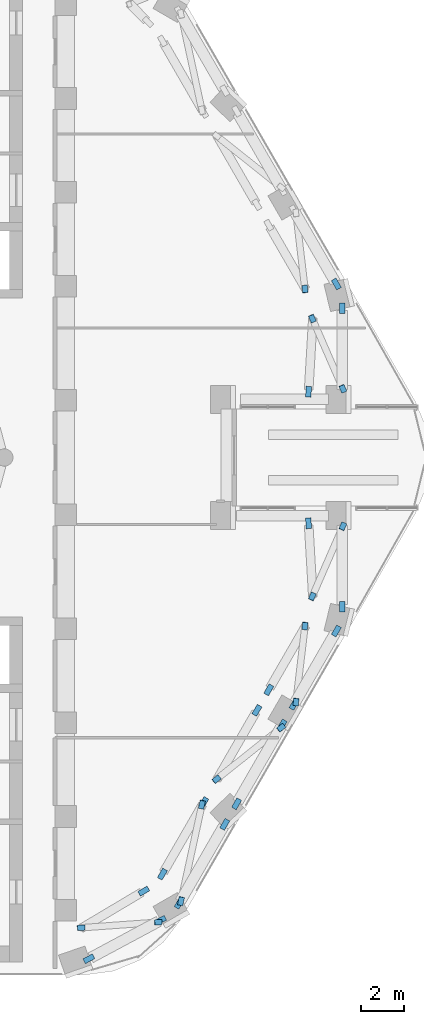
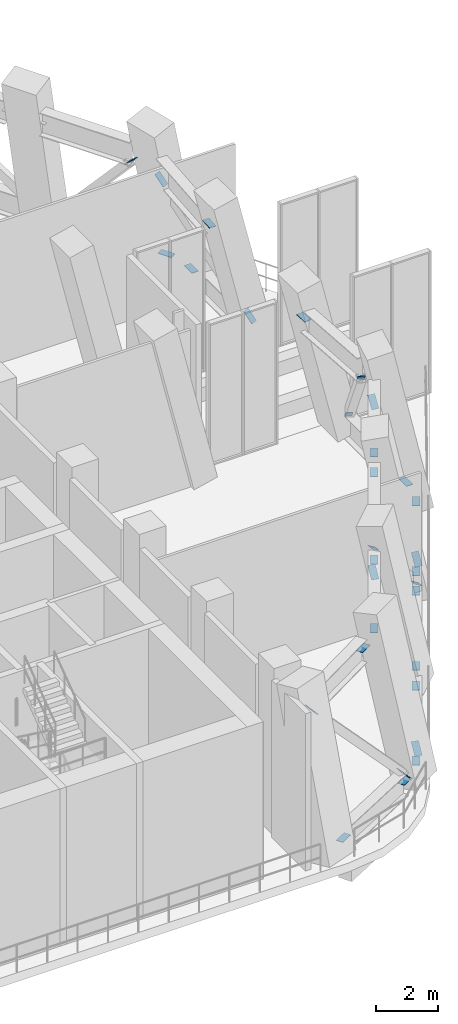
# One storey, part 13 of 19: 31 discrete accessories.
"""IFC4 building model written with IfcOpenShell, lengths in metres."""

from ifc_helpers import new_model, si_unit, direction, frame, origin, origin_2d, place, context, subcontext, project, spatial, rectangle, extrude, material, material_profile, profile_set, type_object, element, save


model = new_model("IFC4")

# Units and contexts
model_context = context("Model", 3, precision=1e-05, world=origin(), true_north=direction((0.0, 1.0)))
body_context = subcontext(model_context, "Body", "Model", "MODEL_VIEW")
ifc_project = project(units=[si_unit("LENGTHUNIT", "METRE"), si_unit("AREAUNIT", "SQUARE_METRE"), si_unit("VOLUMEUNIT", "CUBIC_METRE"), si_unit("PLANEANGLEUNIT", "RADIAN"), si_unit("MASSUNIT", "GRAM", prefix="KILO")], contexts=[model_context])

# Site, building, storey
site_placement = place(None, origin())
site = spatial("IfcSite", under=ifc_project, at=site_placement, CompositionType="ELEMENT")
building_placement = place(site_placement, origin())
building = spatial("IfcBuilding", under=site, at=building_placement, Name="Nakaniwa Court", CompositionType="ELEMENT")
storey_placement = place(building_placement, frame((0.0, 0.0, 170.10009765625)))
storey = spatial("IfcBuildingStorey", under=building, at=storey_placement, Name="S3", CompositionType="ELEMENT", Elevation=170.10009765625)

# Discrete accessories
ifc_material = material(Name="Steel Grade 350", Category="steel")
ifc_material_profile = material_profile(ifc_material, rectangle(XDim=0.25, YDim=0.02001953125, at=origin_2d()), Name="Truss end gusset plate 250x20")
ifc_profile_set = profile_set([ifc_material_profile], Name="Steel Grade 350")
discrete_accessory_type = type_object("IfcDiscreteAccessoryType", Name="Truss end gusset plate 250x20", PredefinedType="BRACKET", material=ifc_profile_set)
discrete_accessory_1_placement = place(storey_placement, frame((91.289306640625, 56.869384765625, 0.4580078125), z_axis=(-0.881472710006, -0.472234964308, 0.0), x_axis=(0.472234964308, -0.881472710006, 0.0)))
element("IfcDiscreteAccessory", 1, at=discrete_accessory_1_placement, inside=storey, type_object=discrete_accessory_type, Name="Gusset plate GU-395", PredefinedType="BRACKET", context=body_context, shape_type="SweptSolid", body=[
    extrude(rectangle(XDim=0.25, YDim=0.02001953125, at=origin_2d()), origin(), (0.0, 0.0, 1.0), 0.5),
])
discrete_accessory_2_placement = place(storey_placement, frame((94.176513671875, 58.418212890625, 0.4580078125), z_axis=(0.881363734617, 0.472438321161, 0.0), x_axis=(-0.472438321161, 0.881363734617, 0.0)))
element("IfcDiscreteAccessory", 2, at=discrete_accessory_2_placement, inside=storey, type_object=discrete_accessory_type, Name="Gusset plate GU-396", PredefinedType="BRACKET", context=body_context, shape_type="SweptSolid", body=[
    extrude(rectangle(XDim=0.25, YDim=0.02001953125, at=origin_2d()), origin(), (0.0, 0.0, 1.0), 0.499755859375),
])
for number, where, z_axis, x_axis, name in (
    (3, (93.400390625, 59.76220703125, 5.1318359375), (0.859083267379, 0.51183585231, 0.0), (-0.51183585231, 0.859083267379, 0.0), "Gusset plate GU-397"),
    (4, (90.87890625, 58.203125, 4.5634765625), (-0.674846119454, -0.048342811741, 0.736373334397), (0.071452213016, -0.997444024121, 0.0), "Gusset plate GU-398"),
    (5, (94.119384765625, 58.4345703125, 1.0263671875), (0.674846119454, 0.048342811741, -0.736373334397), (-0.071452213016, 0.997444024121, 0.0), "Gusset plate GU-399"),
):
    element("IfcDiscreteAccessory", number, at=place(storey_placement, frame(where, z_axis=z_axis, x_axis=x_axis)), inside=storey, type_object=discrete_accessory_type, Name=name, PredefinedType="BRACKET", context=body_context, shape_type="SweptSolid", body=[
        extrude(rectangle(XDim=0.25, YDim=0.02001953125, at=origin_2d()), origin(), (0.0, 0.0, 1.0), 0.5),
    ])
discrete_accessory_3_placement = place(storey_placement, frame((95.382568359375, 59.543212890625, 0.4580078125), z_axis=(-0.500131122175, -0.865949687125, 0.0), x_axis=(0.865949687125, -0.500131122175, 0.0)))
element("IfcDiscreteAccessory", 6, at=discrete_accessory_3_placement, inside=storey, type_object=discrete_accessory_type, Name="Gusset plate GU-400", PredefinedType="BRACKET", context=body_context, shape_type="SweptSolid", body=[
    extrude(rectangle(XDim=0.25, YDim=0.02001953125, at=origin_2d()), origin(), (0.0, 0.0, 1.0), 0.499755859375),
])
for number, where, z_axis, x_axis, name in (
    (7, (97.24560546875, 62.77001953125, 0.4580078125), (0.499919672301, 0.866071776036, 0.0), (-0.866071776036, 0.499919672301, 0.0), "Gusset plate GU-401"),
    (8, (94.60302734375, 60.893310546875, 5.1318359375), (-0.499919672301, -0.866071776036, 0.0), (0.866071776036, -0.499919672301, 0.0), "Gusset plate GU-402"),
):
    element("IfcDiscreteAccessory", number, at=place(storey_placement, frame(where, z_axis=z_axis, x_axis=x_axis)), inside=storey, type_object=discrete_accessory_type, Name=name, PredefinedType="BRACKET", context=body_context, shape_type="SweptSolid", body=[
        extrude(rectangle(XDim=0.25, YDim=0.02001953125, at=origin_2d()), origin(), (0.0, 0.0, 1.0), 0.5),
    ])
discrete_accessory_4_placement = place(storey_placement, frame((96.271240234375, 63.78271484375, 5.1318359375), z_axis=(0.500131122175, 0.865949687125, 0.0), x_axis=(-0.865949687125, 0.500131122175, 0.0)))
element("IfcDiscreteAccessory", 9, at=discrete_accessory_4_placement, inside=storey, type_object=discrete_accessory_type, Name="Gusset plate GU-403", PredefinedType="BRACKET", context=body_context, shape_type="SweptSolid", body=[
    extrude(rectangle(XDim=0.25, YDim=0.02001953125, at=origin_2d()), origin(), (0.0, 0.0, 1.0), 0.499755859375),
])
for number, where, z_axis, x_axis, name in (
    (10, (95.381591796875, 59.61181640625, 1.012939453125), (-0.16162961032, -0.745156451205, -0.647006748261), (0.977274518132, -0.21197763139, 0.0), "Gusset plate GU-404"),
    (11, (96.27197265625, 63.714111328125, 4.576904296875), (0.16162961032, 0.745156451205, 0.647006748261), (-0.977274518132, 0.21197763139, 0.0), "Gusset plate GU-405"),
    (12, (98.04541015625, 64.15576171875, 0.4580078125), (-0.499919672301, -0.866071776036, 0.0), (0.866071776036, -0.499919672301, 0.0), "Gusset plate GU-406"),
):
    element("IfcDiscreteAccessory", number, at=place(storey_placement, frame(where, z_axis=z_axis, x_axis=x_axis)), inside=storey, type_object=discrete_accessory_type, Name=name, PredefinedType="BRACKET", context=body_context, shape_type="SweptSolid", body=[
        extrude(rectangle(XDim=0.25, YDim=0.02001953125, at=origin_2d()), origin(), (0.0, 0.0, 1.0), 0.5),
    ])
for number, where, z_axis, x_axis, name in (
    (13, (99.908447265625, 67.382568359375, 0.4580078125), (0.500131122175, 0.865949687125, 0.0), (-0.865949687125, 0.500131122175, 0.0), "Gusset plate GU-407"),
    (14, (98.7392578125, 68.0576171875, 5.1318359375), (0.500131122175, 0.865949687125, 0.0), (-0.865949687125, 0.500131122175, 0.0), "Gusset plate GU-408"),
):
    element("IfcDiscreteAccessory", number, at=place(storey_placement, frame(where, z_axis=z_axis, x_axis=x_axis)), inside=storey, type_object=discrete_accessory_type, Name=name, PredefinedType="BRACKET", context=body_context, shape_type="SweptSolid", body=[
        extrude(rectangle(XDim=0.25, YDim=0.02001953125, at=origin_2d()), origin(), (0.0, 0.0, 1.0), 0.499755859375),
    ])
for number, where, z_axis, x_axis, name in (
    (15, (97.12841796875, 65.1904296875, 4.56689453125), (-0.547843333752, -0.43700515482, 0.713368191276), (0.623589821408, -0.781751709072, 0.0), "Gusset plate GU-409"),
    (16, (99.851318359375, 67.3603515625, 1.02294921875), (0.547960203667, 0.436610001852, -0.713520372155), (-0.623163735952, 0.782091400154, 0.0), "Gusset plate GU-410"),
):
    element("IfcDiscreteAccessory", number, at=place(storey_placement, frame(where, z_axis=z_axis, x_axis=x_axis)), inside=storey, type_object=discrete_accessory_type, Name=name, PredefinedType="BRACKET", context=body_context, shape_type="SweptSolid", body=[
        extrude(rectangle(XDim=0.25, YDim=0.02001953125, at=origin_2d()), origin(), (0.0, 0.0, 1.0), 0.5),
    ])
for number, where, z_axis, x_axis, name in (
    (17, (100.70849609375, 68.76806640625, 0.4580078125), (-0.500131122175, -0.865949687125, 0.0), (0.865949687125, -0.500131122175, 0.0), "Gusset plate GU-411"),
    (18, (102.4228515625, 71.737548828125, 0.4580078125), (0.500131122175, 0.865949687125, 0.0), (-0.865949687125, 0.500131122175, 0.0), "Gusset plate GU-412"),
):
    element("IfcDiscreteAccessory", number, at=place(storey_placement, frame(where, z_axis=z_axis, x_axis=x_axis)), inside=storey, type_object=discrete_accessory_type, Name=name, PredefinedType="BRACKET", context=body_context, shape_type="SweptSolid", body=[
        extrude(rectangle(XDim=0.25, YDim=0.02001953125, at=origin_2d()), origin(), (0.0, 0.0, 1.0), 0.499755859375),
    ])
for number, where, z_axis, x_axis, name in (
    (19, (99.539306640625, 69.443115234375, 5.1318359375), (-0.499919672301, -0.866071776036, 0.0), (0.866071776036, -0.499919672301, 0.0), "Gusset plate GU-413"),
    (20, (100.6953125, 68.824951171875, 1.02685546875), (-0.079114871081, -0.668081133577, -0.739870553632), (0.993061123194, -0.117599343536, 0.0), "Gusset plate GU-414"),
    (21, (101.072021484375, 72.01806640625, 4.56298828125), (0.079114871081, 0.668081133577, 0.739870553632), (-0.993061123194, 0.117599343536, 0.0), "Gusset plate GU-415"),
    (22, (102.822998046875, 73.330810546875, 0.4580078125), (0.0, -1.0, 0.0), (1.0, 0.0, 0.0), "Gusset plate GU-416"),
    (23, (101.272705078125, 76.7001953125, 5.1318359375), (-0.058092437064, 0.998311208369, 0.0), (-0.998311208369, -0.058092437064, 0.0), "Gusset plate GU-417"),
    (24, (101.499267578125, 73.7109375, 4.56298828125), (-0.268599838925, -0.616802902841, 0.739870465403), (0.916839084888, -0.399256925327, 0.0), "Gusset plate GU-418"),
    (25, (102.78271484375, 76.657470703125, 1.02685546875), (0.268599838925, 0.616802902841, -0.739870465403), (-0.916839084888, 0.399256925327, 0.0), "Gusset plate GU-419"),
    (26, (102.822998046875, 86.669189453125, 0.4580078125), (0.0, 1.0, 0.0), (-1.0, 0.0, 0.0), "Gusset plate GU-420"),
    (27, (101.272705078125, 83.2998046875, 5.1318359375), (-0.058092437064, -0.998311208369, 0.0), (0.998311208369, -0.058092437064, 0.0), "Gusset plate GU-421"),
    (28, (102.78271484375, 83.342529296875, 1.02685546875), (0.268599838925, -0.616802902841, -0.739870465403), (0.916839084888, 0.399256925327, 0.0), "Gusset plate GU-422"),
    (29, (101.499267578125, 86.2890625, 4.56298828125), (-0.268599838925, 0.616802902841, 0.739870465403), (-0.916839084888, -0.399256925327, 0.0), "Gusset plate GU-423"),
):
    element("IfcDiscreteAccessory", number, at=place(storey_placement, frame(where, z_axis=z_axis, x_axis=x_axis)), inside=storey, type_object=discrete_accessory_type, Name=name, PredefinedType="BRACKET", context=body_context, shape_type="SweptSolid", body=[
        extrude(rectangle(XDim=0.25, YDim=0.02001953125, at=origin_2d()), origin(), (0.0, 0.0, 1.0), 0.5),
    ])
discrete_accessory_5_placement = place(storey_placement, frame((102.4228515625, 88.262451171875, 0.4580078125), z_axis=(0.500131122175, -0.865949687125, 0.0), x_axis=(0.865949687125, 0.500131122175, 0.0)))
element("IfcDiscreteAccessory", 30, at=discrete_accessory_5_placement, inside=storey, type_object=discrete_accessory_type, Name="Gusset plate GU-424", PredefinedType="BRACKET", context=body_context, shape_type="SweptSolid", body=[
    extrude(rectangle(XDim=0.25, YDim=0.02001953125, at=origin_2d()), origin(), (0.0, 0.0, 1.0), 0.499755859375),
])
discrete_accessory_6_placement = place(storey_placement, frame((101.072021484375, 87.98193359375, 4.56298828125), z_axis=(0.079114871081, -0.668081133577, 0.739870553632), x_axis=(0.993061123194, 0.117599343536, 0.0)))
element("IfcDiscreteAccessory", 31, at=discrete_accessory_6_placement, inside=storey, type_object=discrete_accessory_type, Name="Gusset plate GU-427", PredefinedType="BRACKET", context=body_context, shape_type="SweptSolid", body=[
    extrude(rectangle(XDim=0.25, YDim=0.02001953125, at=origin_2d()), origin(), (0.0, 0.0, 1.0), 0.5),
])

save(model, "model.ifc")
